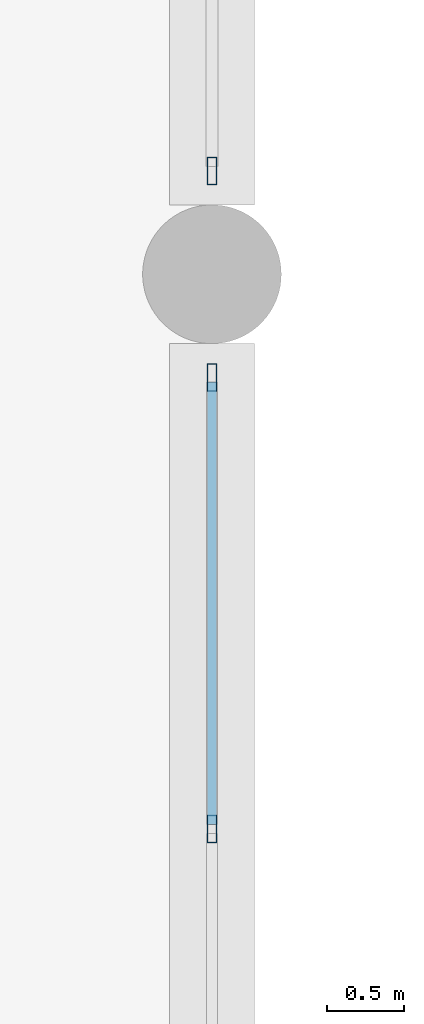
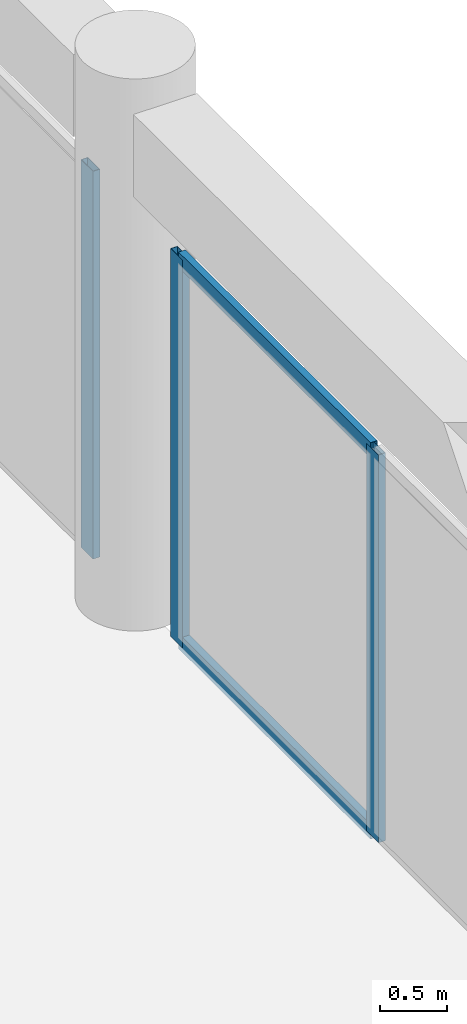
# One storey, part 23 of 54: 5 members, 2 elements without a shape of their own.
"""IFC4 building model written with IfcOpenShell, lengths in metres."""

from ifc_helpers import new_model, si_unit, direction, frame, origin, origin_2d, place, context, subcontext, project, spatial, hollow_rectangle, extrude, material, material_profile, profile_set, type_object, element, aggregate, save


model = new_model("IFC4")

# Units and contexts
model_context = context("Model", 3, precision=1e-05, world=origin(), true_north=direction((0.0, 1.0)))
body_context = subcontext(model_context, "Body", "Model", "MODEL_VIEW")
ifc_project = project(units=[si_unit("LENGTHUNIT", "METRE"), si_unit("AREAUNIT", "SQUARE_METRE"), si_unit("VOLUMEUNIT", "CUBIC_METRE"), si_unit("PLANEANGLEUNIT", "RADIAN"), si_unit("MASSUNIT", "GRAM", prefix="KILO")], contexts=[model_context])

# Site, building, storey
site_placement = place(None, origin())
site = spatial("IfcSite", under=ifc_project, at=site_placement, CompositionType="ELEMENT")
building_placement = place(site_placement, origin())
building = spatial("IfcBuilding", under=site, at=building_placement, Name="Kazehaya Institute of Natural Sciences", CompositionType="ELEMENT")
storey_placement = place(building_placement, frame((0.0, 0.0, 5.39990234375)))
storey = spatial("IfcBuildingStorey", under=building, at=storey_placement, Name="L01", CompositionType="ELEMENT", Elevation=5.39990234375)

# Curtain wall, members
ifc_material = material(Name="Aluminium alloy A6063S-T5", Category="aluminium")
curtain_wall_type = type_object("IfcCurtainWallType", Name="CW-SYS-02", PredefinedType="NOTDEFINED", material=ifc_material)
curtain_wall_1_placement = place(storey_placement, origin())
curtain_wall_1 = element("IfcCurtainWall", 1, at=curtain_wall_1_placement, inside=storey, type_object=curtain_wall_type, Name="L01 unitised curtain wall CW-L01-020", PredefinedType="NOTDEFINED")
ifc_material_profile_1 = material_profile(ifc_material, hollow_rectangle(XDim=0.06005859375, YDim=0.179931640625, WallThickness=0.00390625, at=origin_2d()), Name="ALU-60x180x4")
ifc_profile_set_1 = profile_set([ifc_material_profile_1], Name="Aluminium alloy A6063S-T5")
member_type_1 = type_object("IfcMemberType", Name="CWM-180", PredefinedType="MULLION", material=ifc_profile_set_1)
member_1_placement = place(storey_placement, frame((112.199951171875, 56.530029296875, 0.0), z_axis=(0.0, 0.0, 1.0), x_axis=(1.0, 0.0, 0.0)))
member_1 = element("IfcMember", 2, at=member_1_placement, type_object=member_type_1, Name="CW02 mullion 1", PredefinedType="MULLION", context=body_context, shape_type="SweptSolid", body=[
    extrude(hollow_rectangle(XDim=0.06005859375, YDim=0.179931640625, WallThickness=0.00390625, at=origin_2d()), origin(), (0.0, 0.0, 1.0), 3.5400390625),
])
member_2_placement = place(storey_placement, frame((112.199951171875, 53.60009765625, 0.0), z_axis=(0.0, 0.0, 1.0), x_axis=(1.0, 0.0, 0.0)))
member_2 = element("IfcMember", 3, at=member_2_placement, type_object=member_type_1, Name="CW02 mullion 2", PredefinedType="MULLION", context=body_context, shape_type="SweptSolid", body=[
    extrude(hollow_rectangle(XDim=0.06005859375, YDim=0.179931640625, WallThickness=0.00390625, at=origin_2d()), origin(), (0.0, 0.0, 1.0), 3.5400390625),
])

# Curtain wall, member
curtain_wall_2_placement = place(storey_placement, origin())
curtain_wall_2 = element("IfcCurtainWall", 4, at=curtain_wall_2_placement, inside=storey, type_object=curtain_wall_type, Name="L01 unitised curtain wall CW-L01-022", PredefinedType="NOTDEFINED")
member_3_placement = place(storey_placement, frame((112.199951171875, 57.8701171875, 0.0), z_axis=(0.0, 0.0, 1.0), x_axis=(1.0, 0.0, 0.0)))
member_3 = element("IfcMember", 5, at=member_3_placement, type_object=member_type_1, Name="CW02 mullion 3", PredefinedType="MULLION", context=body_context, shape_type="SweptSolid", body=[
    extrude(hollow_rectangle(XDim=0.06005859375, YDim=0.179931640625, WallThickness=0.00390625, at=origin_2d()), origin(), (0.0, 0.0, 1.0), 3.5400390625),
])
aggregate(curtain_wall_2, [member_3])

# Member
ifc_material_profile_2 = material_profile(ifc_material, hollow_rectangle(XDim=0.06005859375, YDim=0.139892578125, WallThickness=0.00341796875, at=origin_2d()), Name="ALU-60x140x3.5")
ifc_profile_set_2 = profile_set([ifc_material_profile_2], Name="Aluminium alloy A6063S-T5")
member_type_2 = type_object("IfcMemberType", Name="CWT-140", PredefinedType="USERDEFINED", material=ifc_profile_set_2)
member_4_placement = place(storey_placement, frame((112.199951171875, 56.5, 0.030029296875), z_axis=(0.0, -1.0, 0.0), x_axis=(1.0, 0.0, 0.0)))
member_4 = element("IfcMember", 6, at=member_4_placement, type_object=member_type_2, Name="CW02 transom 1.1", ObjectType="TRANSOM", PredefinedType="USERDEFINED", context=body_context, shape_type="SweptSolid", body=[
    extrude(hollow_rectangle(XDim=0.06005859375, YDim=0.139892578125, WallThickness=0.00341796875, at=origin_2d()), origin(), (0.0, 0.0, 1.0), 2.8701171875),
])

member_5_placement = place(storey_placement, frame((112.199951171875, 56.5, 3.510009765625), z_axis=(0.0, -1.0, 0.0), x_axis=(1.0, 0.0, 0.0)))
member_5 = element("IfcMember", 7, at=member_5_placement, type_object=member_type_2, Name="CW02 transom 1.2", ObjectType="TRANSOM", PredefinedType="USERDEFINED", context=body_context, shape_type="SweptSolid", body=[
    extrude(hollow_rectangle(XDim=0.06005859375, YDim=0.139892578125, WallThickness=0.00341796875, at=origin_2d()), origin(), (0.0, 0.0, 1.0), 2.8701171875),
])

aggregate(curtain_wall_1, [member_1, member_2, member_4, member_5])

save(model, "model.ifc")
